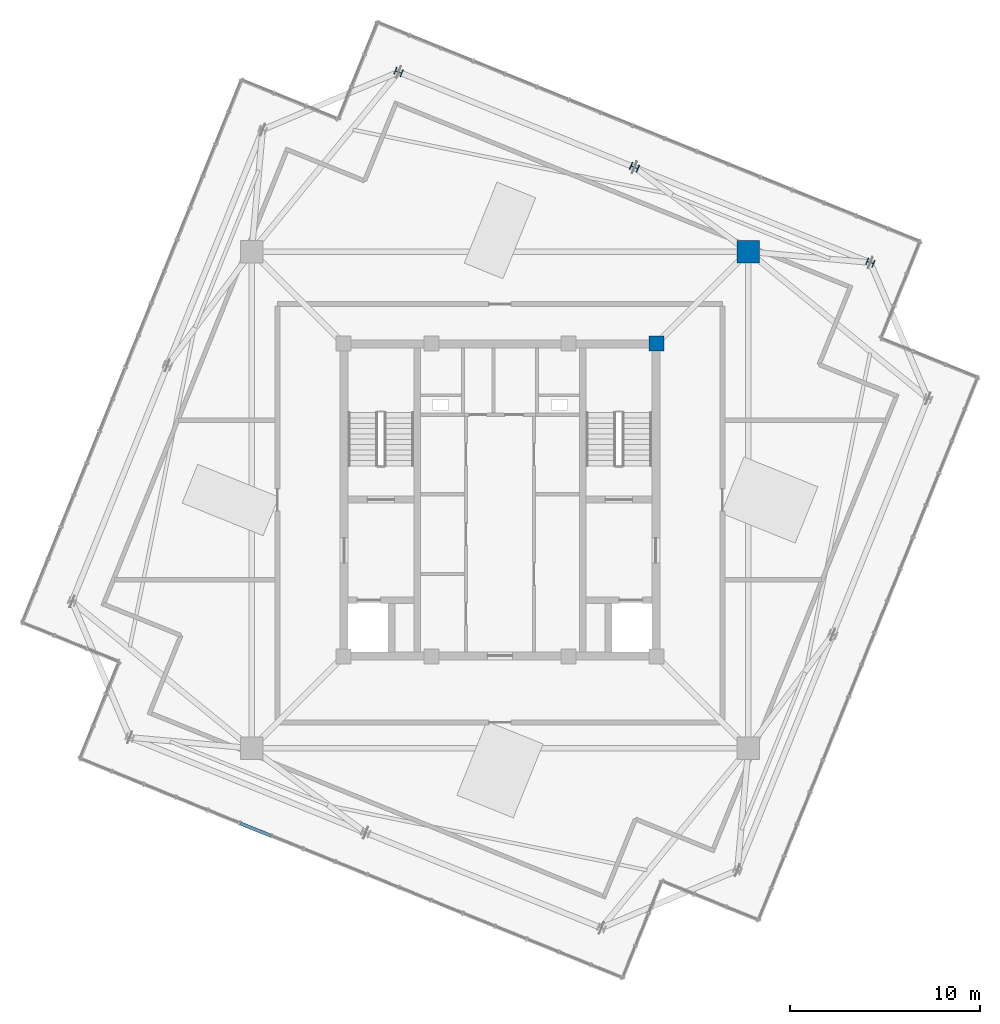
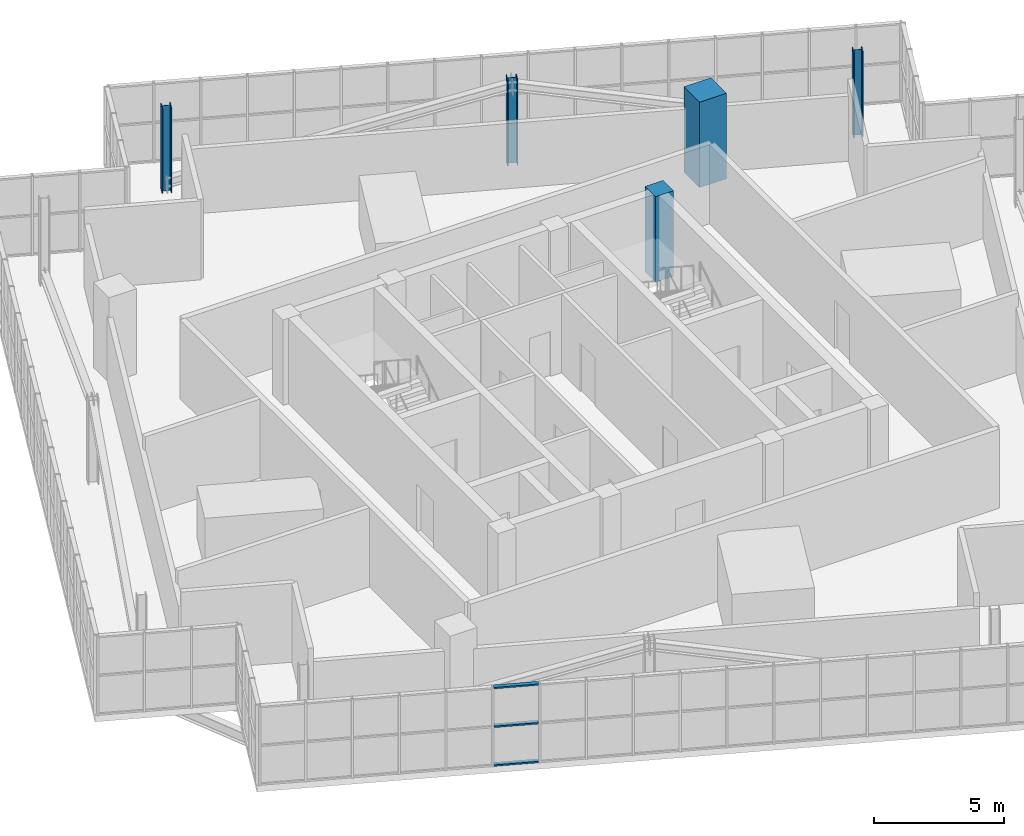
# One storey, part 2 of 26: 5 columns, 3 members, 1 element without a shape of its own.
"""IFC4 building model written with IfcOpenShell, lengths in metres."""

from ifc_helpers import new_model, si_unit, direction, frame, origin, origin_2d, place, context, subcontext, project, spatial, rectangle, hollow_rectangle, i_section, extrude, source, transform, mapped, material, layer, layer_set, material_profile, profile_set, type_object, element, aggregate, save


model = new_model("IFC4")

# Units and contexts
model_context = context("Model", 3, precision=1e-05, world=origin(), true_north=direction((0.0, 1.0)))
body_context = subcontext(model_context, "Body", "Model", "MODEL_VIEW")
ifc_project = project(units=[si_unit("LENGTHUNIT", "METRE"), si_unit("AREAUNIT", "SQUARE_METRE"), si_unit("VOLUMEUNIT", "CUBIC_METRE"), si_unit("PLANEANGLEUNIT", "RADIAN"), si_unit("MASSUNIT", "GRAM", prefix="KILO"), si_unit("THERMODYNAMICTEMPERATUREUNIT", "KELVIN")], contexts=[model_context])

# Site, building, storey
site_placement = place(None, origin())
site = spatial("IfcSite", under=ifc_project, at=site_placement, CompositionType="ELEMENT")
building_placement = place(site_placement, origin())
building = spatial("IfcBuilding", under=site, at=building_placement, Name="Kosmvard Interchange Tower", CompositionType="ELEMENT")
storey_placement = place(building_placement, frame((0.0, 0.0, 337.60009765625)))
storey = spatial("IfcBuildingStorey", under=building, at=storey_placement, Name="L83", CompositionType="ELEMENT", Elevation=337.60009765625)

# Columns
ifc_material_1 = material(Name="Concrete C50/60", Category="concrete")
ifc_material_profile_1 = material_profile(ifc_material_1, rectangle(XDim=0.800048828125, YDim=0.800048828125, at=origin_2d()), Name="CP 800x800")
ifc_profile_set_1 = profile_set([ifc_material_profile_1], Name="Concrete C50/60")
column_type_1 = type_object("IfcColumnType", Name="Core Boundary Pilaster 800x800 C50/60", PredefinedType="PILASTER", material=ifc_profile_set_1)
shared_shape_1 = source(origin(), body_context, "Body", "SweptSolid", [
    extrude(rectangle(XDim=0.800048828125, YDim=0.800048828125, at=origin_2d()), origin(), (0.0, 0.0, 1.0), 4.0),
])
column_1_placement = place(storey_placement, frame((8.25, 8.25, 0.0), z_axis=(0.0, 0.0, 1.0), x_axis=(1.0, 0.0, 0.0)))
element("IfcColumn", 1, at=column_1_placement, inside=storey, type_object=column_type_1, Name="L83 Core Pilaster CP3", PredefinedType="PILASTER", context=body_context, shape_type="MappedRepresentation", body=[
    mapped(shared_shape_1, transform((0.0, 0.0, 0.0), scale=1.0)),
])
ifc_material_profile_2 = material_profile(ifc_material_1, rectangle(XDim=1.199951171875, YDim=1.199951171875, at=origin_2d()), Name="MC 1200x1200")
ifc_profile_set_2 = profile_set([ifc_material_profile_2], Name="Concrete C50/60")
column_type_2 = type_object("IfcColumnType", Name="Composite Mega-Column 1200x1200 C50/60", PredefinedType="COLUMN", material=ifc_profile_set_2)
shared_shape_2 = source(origin(), body_context, "Body", "SweptSolid", [
    extrude(rectangle(XDim=1.199951171875, YDim=1.199951171875, at=origin_2d()), origin(), (0.0, 0.0, 1.0), 4.0),
])
column_2_placement = place(storey_placement, frame((13.0810546875, 13.0810546875, 0.0), z_axis=(0.0, 0.0, 1.0), x_axis=(1.0, 0.0, 0.0)))
element("IfcColumn", 2, at=column_2_placement, inside=storey, type_object=column_type_2, Name="L83 Corner Mega-Column MC3", PredefinedType="COLUMN", context=body_context, shape_type="MappedRepresentation", body=[
    mapped(shared_shape_2, transform((0.0, 0.0, 0.0), scale=1.0)),
])
ifc_material_2 = material(Name="Steel S355", Category="steel")
ifc_material_profile_3 = material_profile(ifc_material_2, i_section(OverallWidth=0.3759765625, OverallDepth=0.386962890625, WebThickness=0.01953125, FlangeThickness=0.031982421875, FilletRadius=0.014892578125, at=origin_2d()), Name="HD 360x329")
ifc_profile_set_3 = profile_set([ifc_material_profile_3], Name="Steel S355")
column_type_3 = type_object("IfcColumnType", Name="Crown Lantern Corner Post HD 360x329 S355", PredefinedType="COLUMN", material=ifc_profile_set_3)
shared_shape_3 = source(origin(), body_context, "Body", "SweptSolid", [
    extrude(i_section(OverallWidth=0.3759765625, OverallDepth=0.386962890625, WebThickness=0.01953125, FlangeThickness=0.031982421875, FilletRadius=0.014892578125, at=origin_2d()), origin(), (0.0, 0.0, 1.0), 4.0),
])
for number, where, z_axis, x_axis, name in (
    (3, (19.50439453125, 12.504150390625, 0.0), (0.0, 0.0, 1.0), (0.374606593416, 0.927183854567, 0.0), "L83 Crown Frame Leg LL-E1"),
    (4, (-5.34423828125, 22.54345703125, 0.0), (0.0, 0.0, 1.0), (0.374606593416, 0.927183854567, 0.0), "L83 Crown Frame Leg LL-E3"),
):
    element("IfcColumn", number, at=place(storey_placement, frame(where, z_axis=z_axis, x_axis=x_axis)), inside=storey, type_object=column_type_3, Name=name, PredefinedType="COLUMN", context=body_context, shape_type="MappedRepresentation", body=[
        mapped(shared_shape_3, transform((0.0, 0.0, 0.0), scale=1.0)),
    ])
ifc_material_profile_4 = material_profile(ifc_material_2, i_section(OverallWidth=0.408935546875, OverallDepth=0.425048828125, WebThickness=0.02392578125, FlangeThickness=0.0390625, FilletRadius=0.014892578125, at=origin_2d()), Name="HD 400x421")
ifc_profile_set_4 = profile_set([ifc_material_profile_4], Name="Steel S355")
column_type_4 = type_object("IfcColumnType", Name="Crown Lantern Frame Leg HD 400x421 S355", PredefinedType="COLUMN", material=ifc_profile_set_4)
shared_shape_4 = source(origin(), body_context, "Body", "SweptSolid", [
    extrude(i_section(OverallWidth=0.408935546875, OverallDepth=0.425048828125, WebThickness=0.02392578125, FlangeThickness=0.0390625, FilletRadius=0.014892578125, at=origin_2d()), origin(), (0.0, 0.0, 1.0), 4.0),
])
column_3_placement = place(storey_placement, frame((7.080078125, 17.523681640625, 0.0), z_axis=(0.0, 0.0, 1.0), x_axis=(0.374606593416, 0.927183854567, 0.0)))
element("IfcColumn", 5, at=column_3_placement, inside=storey, type_object=column_type_4, Name="L83 Crown Frame Leg LL-E2", PredefinedType="COLUMN", context=body_context, shape_type="MappedRepresentation", body=[
    mapped(shared_shape_4, transform((0.0, 0.0, 0.0), scale=1.0)),
])

# Curtain wall, members
ifc_material_3 = material(Name="Architectural anodised aluminium", Category="aluminium")
ifc_layer = layer(ifc_material_3, 0.25, Name="Architectural anodised aluminium")
ifc_layer_set = layer_set([ifc_layer], Name="Architectural anodised aluminium")
curtain_wall_type = type_object("IfcCurtainWallType", Name="CW-6 Illuminated Crown Lantern Curtain Wall", PredefinedType="NOTDEFINED", material=ifc_layer_set)
curtain_wall_placement = place(storey_placement, origin())
curtain_wall = element("IfcCurtainWall", 6, at=curtain_wall_placement, inside=storey, type_object=curtain_wall_type, Name="L83 Crown Lantern Glazing Face 10", PredefinedType="NOTDEFINED")
ifc_material_profile_5 = material_profile(ifc_material_3, hollow_rectangle(XDim=0.179931640625, YDim=0.070068359375, WallThickness=0.0048828125, at=origin_2d()), Name="CWT 180x70x5")
ifc_profile_set_5 = profile_set([ifc_material_profile_5], Name="Architectural anodised aluminium")
member_type = type_object("IfcMemberType", Name="Heavy Lantern CW Transom 180x70 Aluminium", PredefinedType="USERDEFINED", material=ifc_profile_set_5)
shared_shape_5 = source(origin(), body_context, "Body", "SweptSolid", [
    extrude(hollow_rectangle(XDim=0.179931640625, YDim=0.070068359375, WallThickness=0.0048828125, at=origin_2d()), origin(), (0.0, 0.0, 1.0), 1.734130859375),
])
member_1_placement = place(storey_placement, frame((-13.686767578125, -17.033203125, 0.034912109375), z_axis=(0.927179782522, -0.374616671924, 0.0), x_axis=(0.374616671924, 0.927179782522, 0.0)))
member_1 = element("IfcMember", 7, at=member_1_placement, type_object=member_type, Name="CW-6 transom 6.1", ObjectType="TRANSOM", PredefinedType="USERDEFINED", context=body_context, shape_type="MappedRepresentation", body=[
    mapped(shared_shape_5, transform((0.0, 0.0, 0.0), scale=1.0)),
])
member_2_placement = place(storey_placement, frame((-13.686767578125, -17.033203125, 1.849853515625), z_axis=(0.927179782522, -0.374616671924, 0.0), x_axis=(0.374616671924, 0.927179782522, 0.0)))
member_2 = element("IfcMember", 8, at=member_2_placement, type_object=member_type, Name="CW-6 transom 6.2", ObjectType="TRANSOM", PredefinedType="USERDEFINED", context=body_context, shape_type="MappedRepresentation", body=[
    mapped(shared_shape_5, transform((0.0, 0.0, 0.0), scale=1.0)),
])
member_3_placement = place(storey_placement, frame((-13.686767578125, -17.033203125, 3.664794921875), z_axis=(0.927179782522, -0.374616671924, 0.0), x_axis=(0.374616671924, 0.927179782522, 0.0)))
member_3 = element("IfcMember", 9, at=member_3_placement, type_object=member_type, Name="CW-6 transom 6.3", ObjectType="TRANSOM", PredefinedType="USERDEFINED", context=body_context, shape_type="MappedRepresentation", body=[
    mapped(shared_shape_5, transform((0.0, 0.0, 0.0), scale=1.0)),
])
aggregate(curtain_wall, [member_1, member_2, member_3])

save(model, "model.ifc")
